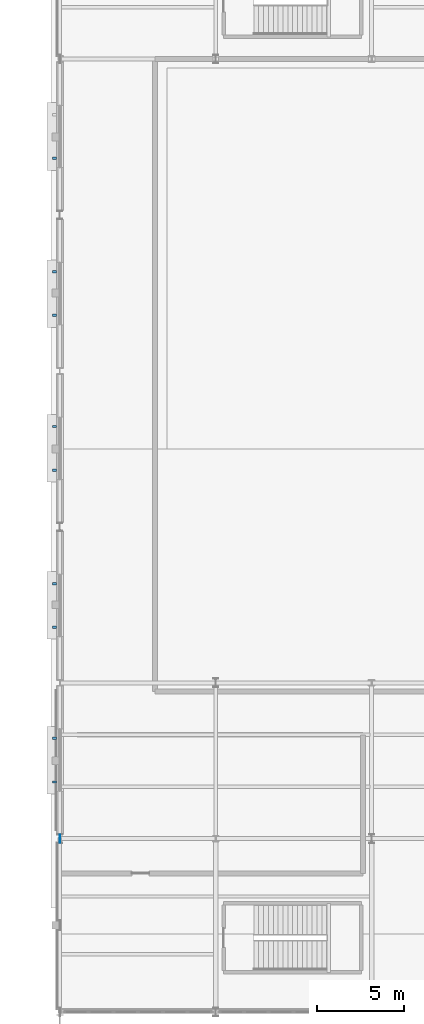
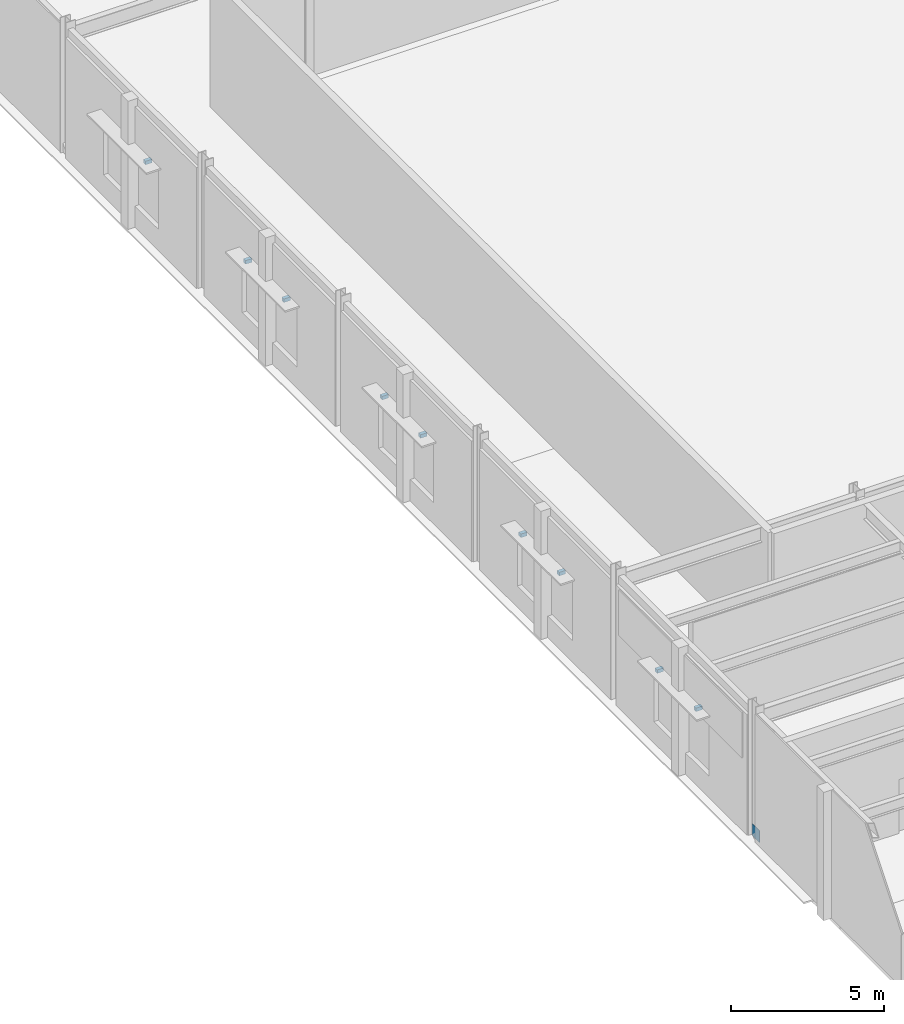
# One storey, part 64 of 79: 10 discrete accessories.
"""IFC4 building model written with IfcOpenShell, lengths in metres."""

from ifc_helpers import new_model, si_unit, direction, frame, origin, origin_2d, place, context, subcontext, project, spatial, rectangle, extrude, material, type_object, element, save


model = new_model("IFC4")

# Units and contexts
model_context = context("Model", 3, precision=1e-05, world=origin(), true_north=direction((0.0, 1.0)))
body_context = subcontext(model_context, "Body", "Model", "MODEL_VIEW")
ifc_project = project(units=[si_unit("LENGTHUNIT", "METRE"), si_unit("AREAUNIT", "SQUARE_METRE"), si_unit("VOLUMEUNIT", "CUBIC_METRE"), si_unit("PLANEANGLEUNIT", "RADIAN"), si_unit("MASSUNIT", "GRAM", prefix="KILO")], contexts=[model_context])

# Site, building, storey
site_placement = place(None, origin())
site = spatial("IfcSite", under=ifc_project, at=site_placement, CompositionType="ELEMENT")
building_placement = place(site_placement, origin())
building = spatial("IfcBuilding", under=site, at=building_placement, Name="Glasvene Arena", CompositionType="ELEMENT")
storey_placement = place(building_placement, origin())
storey = spatial("IfcBuildingStorey", under=building, at=storey_placement, Name="L00", CompositionType="ELEMENT", Elevation=0.0)

# Discrete accessories
ifc_material_1 = material(Name="Steel S355J2", Category="steel")
discrete_accessory_type_1 = type_object("IfcDiscreteAccessoryType", Name="ACC-BRACE-GP20", PredefinedType="BRACKET", material=ifc_material_1)
discrete_accessory_placement = place(storey_placement, frame((0.0, 64.0, -0.070068359375), z_axis=(0.0, 0.0, 1.0), x_axis=(1.0, 0.0, 0.0)))
element("IfcDiscreteAccessory", 1, at=discrete_accessory_placement, inside=storey, type_object=discrete_accessory_type_1, Name="Chevron brace base gusset plate L00-010-B", PredefinedType="BRACKET", context=body_context, shape_type="SweptSolid", body=[
    extrude(rectangle(XDim=0.02001953125, YDim=0.47998046875, at=origin_2d()), origin(), (0.0, 0.0, 1.0), 0.47998046875),
])
ifc_material_2 = material(Name="Warm bronze architectural aluminium", Category="aluminium")
discrete_accessory_type_2 = type_object("IfcDiscreteAccessoryType", Name="ACC-FIN-BRK", PredefinedType="BRACKET", material=ifc_material_2)
for number, where, z_axis, x_axis, name in (
    (2, (-0.300048828125, 67.27294921875, 3.22021484375), (0.0, 0.0, 1.0), (0.0, 1.0, 0.0), "Brise-soleil wall bracket BK-001"),
    (3, (-0.300048828125, 69.79296875, 3.22021484375), (0.0, 0.0, 1.0), (0.0, 1.0, 0.0), "Brise-soleil wall bracket BK-001"),
    (4, (-0.300048828125, 76.20703125, 3.22021484375), (0.0, 0.0, 1.0), (0.0, 1.0, 0.0), "Brise-soleil wall bracket BK-002"),
    (5, (-0.300048828125, 78.72705078125, 3.22021484375), (0.0, 0.0, 1.0), (0.0, 1.0, 0.0), "Brise-soleil wall bracket BK-002"),
    (6, (-0.300048828125, 85.27294921875, 3.22021484375), (0.0, 0.0, 1.0), (0.0, 1.0, 0.0), "Brise-soleil wall bracket BK-003"),
    (7, (-0.300048828125, 87.79296875, 3.22021484375), (0.0, 0.0, 1.0), (0.0, 1.0, 0.0), "Brise-soleil wall bracket BK-003"),
    (8, (-0.300048828125, 94.20703125, 3.22021484375), (0.0, 0.0, 1.0), (0.0, 1.0, 0.0), "Brise-soleil wall bracket BK-004"),
    (9, (-0.300048828125, 96.72705078125, 3.22021484375), (0.0, 0.0, 1.0), (0.0, 1.0, 0.0), "Brise-soleil wall bracket BK-004"),
    (10, (-0.300048828125, 103.27294921875, 3.22021484375), (0.0, 0.0, 1.0), (0.0, 1.0, 0.0), "Brise-soleil wall bracket BK-005"),
):
    element("IfcDiscreteAccessory", number, at=place(storey_placement, frame(where, z_axis=z_axis, x_axis=x_axis)), inside=storey, type_object=discrete_accessory_type_2, Name=name, PredefinedType="BRACKET", context=body_context, shape_type="SweptSolid", body=[
        extrude(rectangle(XDim=0.139892578125, YDim=0.239990234375, at=origin_2d()), origin(), (0.0, 0.0, 1.0), 0.139892578125),
    ])

save(model, "model.ifc")
